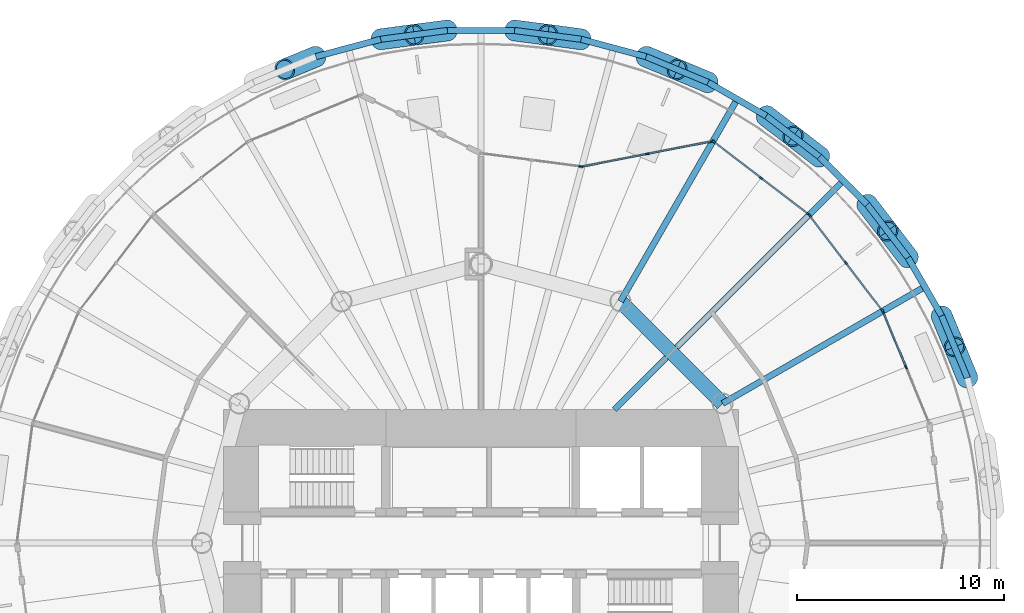
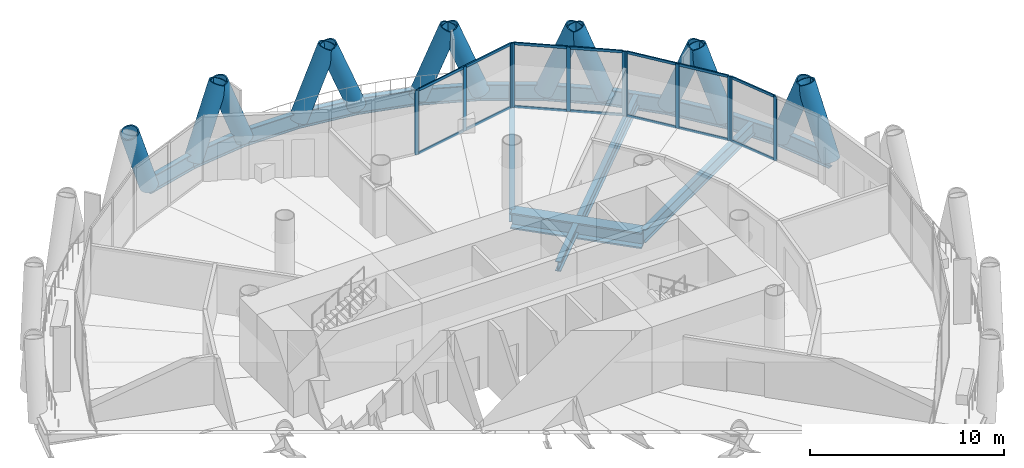
# One storey, part 7 of 15: 38 members, 17 beams, 5 elements without a shape of their own.
"""IFC4 building model written with IfcOpenShell, lengths in metres."""

import ifcopenshell
import ifcopenshell.guid

model = None  # the IFC model being written
_history = None  # IfcOwnerHistory: only IFC2X3 demands one
_inside = {}  # id of a spatial element -> (the spatial element, [elements in it])
_under = {}  # id of a project, library or spatial element -> (it, [spatial elements below it])
_declared = {}  # id of a project -> (the project, [libraries it declares])
_typed = {}  # id of a type object -> (the type object, [elements of that type])
_made_of = {}  # id of a material, layer set ... -> (it, [elements and type objects made of it])


def new_model(schema):
    """Start an empty IFC model of exactly this schema.

    Asked for "IFC4X3", IfcOpenShell would pick the latest addendum, in which some entities
    have other attributes; the version numbers below select the first issue.
    IFC2X3 requires an IfcOwnerHistory on every rooted entity: one is made here for all.
    """
    global model, _history
    if schema == "IFC4X3":
        model = ifcopenshell.file(schema_version=(4, 3, 0, 0))
    else:
        model = ifcopenshell.file(schema=schema)
    _inside.clear()
    _under.clear()
    _declared.clear()
    _typed.clear()
    _made_of.clear()
    _history = None
    if model.schema == "IFC2X3":
        org = make("IfcOrganization", Name="unknown")
        user = make(
            "IfcPersonAndOrganization",
            ThePerson=make("IfcPerson", FamilyName="unknown"),
            TheOrganization=org,
        )
        app = make(
            "IfcApplication",
            ApplicationDeveloper=org,
            Version="unknown",
            ApplicationFullName="unknown",
            ApplicationIdentifier="unknown",
        )
        _history = make(
            "IfcOwnerHistory",
            OwningUser=user,
            OwningApplication=app,
            ChangeAction="ADDED",
            CreationDate=0,
        )
    return model


def make(cls, **values):
    """One entity of the class cls with the attributes given. An attribute that is None is left unset."""
    return model.create_entity(
        cls, **{name: value for name, value in values.items() if value is not None}
    )


def rooted(cls, **values):
    """An entity with a GlobalId (a new one), such as an element, a storey or a relation."""
    return make(cls, GlobalId=ifcopenshell.guid.new(), OwnerHistory=_history, **values)


def si_unit(unit_type, name, prefix=None):
    """IfcSIUnit, for example si_unit("LENGTHUNIT", "METRE", prefix="MILLI")."""
    return make("IfcSIUnit", UnitType=unit_type, Prefix=prefix, Name=name)


def assignment(units):
    """IfcUnitAssignment: the units of a project."""
    return None if units is None else make("IfcUnitAssignment", Units=units)


def point(xyz):
    """IfcCartesianPoint."""
    return None if xyz is None else make("IfcCartesianPoint", Coordinates=xyz)


def direction(xyz):
    """IfcDirection."""
    return None if xyz is None else make("IfcDirection", DirectionRatios=xyz)


def frame(location, z_axis=None, x_axis=None):
    """IfcAxis2Placement3D, a coordinate frame: its origin and axes. An axis left out is left unset."""
    return make(
        "IfcAxis2Placement3D",
        Location=point(location),
        Axis=direction(z_axis),
        RefDirection=direction(x_axis),
    )


def frame_2d(location, x_axis=None):
    """IfcAxis2Placement2D, a coordinate frame in the plane: its origin and x axis."""
    return make(
        "IfcAxis2Placement2D", Location=point(location), RefDirection=direction(x_axis)
    )


def origin():
    """The frame at (0, 0, 0) with its axes left unset."""
    return frame((0.0, 0.0, 0.0))


def origin_2d():
    """The frame at (0, 0) in the plane with its x axis left unset."""
    return frame_2d((0.0, 0.0))


def place(relative_to, where):
    """IfcLocalPlacement: puts the frame where relative to a parent placement (None: the world)."""
    return make(
        "IfcLocalPlacement", PlacementRelTo=relative_to, RelativePlacement=where
    )


def context(
    kind, dimensions, precision=None, world=None, true_north=None, identifier=None
):
    """IfcGeometricRepresentationContext, for example the 3D "Model" context."""
    return make(
        "IfcGeometricRepresentationContext",
        ContextIdentifier=identifier,
        ContextType=kind,
        CoordinateSpaceDimension=dimensions,
        Precision=precision,
        WorldCoordinateSystem=world,
        TrueNorth=true_north,
    )


def subcontext(parent, identifier, kind, view, scale=None):
    """IfcGeometricRepresentationSubContext, for example "Body" below "Model"."""
    return make(
        "IfcGeometricRepresentationSubContext",
        ContextIdentifier=identifier,
        ContextType=kind,
        ParentContext=parent,
        TargetScale=scale,
        TargetView=view,
    )


def project(units=None, contexts=None):
    """IfcProject with its units and contexts."""
    return rooted(
        "IfcProject",
        Name="project",
        RepresentationContexts=contexts,
        UnitsInContext=assignment(units),
    )


def spatial(cls, under=None, at=None, **own):
    """A site, building, storey or space (cls), placed at a placement, below another one or the project."""
    s = rooted(cls, ObjectPlacement=at, **own)
    if under is not None:
        _under.setdefault(under.id(), (under, []))[1].append(s)
    return s


def profile(cls, at=None, kind="AREA", **sizes):
    """A parametric profile (cls). Its sizes go by their IFC names, for example OverallWidth=200.0."""
    return make(cls, ProfileType=kind, Position=at, **sizes)


def rectangle(**sizes):
    """IfcRectangleProfileDef."""
    return profile("IfcRectangleProfileDef", **sizes)


def hollow_circle(**sizes):
    """IfcCircleHollowProfileDef."""
    return profile("IfcCircleHollowProfileDef", **sizes)


def i_section(**sizes):
    """IfcIShapeProfileDef."""
    return profile("IfcIShapeProfileDef", **sizes)


def extrude(swept, where, along, depth):
    """IfcExtrudedAreaSolid: the profile swept, set in the frame where, extruded along a direction by depth."""
    return make(
        "IfcExtrudedAreaSolid",
        SweptArea=swept,
        Position=where,
        ExtrudedDirection=direction(along),
        Depth=depth,
    )


def shape(context_of_items, identifier, shape_type, items):
    """IfcShapeRepresentation: the items that make up one representation, for example the "Body"."""
    return make(
        "IfcShapeRepresentation",
        ContextOfItems=context_of_items,
        RepresentationIdentifier=identifier,
        RepresentationType=shape_type,
        Items=items,
    )


def material(Name=None, Category=None):
    """IfcMaterial."""
    return make("IfcMaterial", Name=Name, Category=Category)


def material_profile(
    of_material, cross_section, Name=None, Category=None, Priority=None
):
    """IfcMaterialProfile: a cross section and its material."""
    return make(
        "IfcMaterialProfile",
        Name=Name,
        Material=of_material,
        Profile=cross_section,
        Priority=Priority,
        Category=Category,
    )


def profile_set(profiles, Name=None, composite=None):
    """IfcMaterialProfileSet."""
    return make(
        "IfcMaterialProfileSet",
        Name=Name,
        MaterialProfiles=profiles,
        CompositeProfile=composite,
    )


def made_of(thing, what):
    """Note that an element or type object is made of a material, layer set ...; save() writes the relation."""
    if what is not None:
        _made_of.setdefault(what.id(), (what, []))[1].append(thing)
    return thing


def type_object(cls, material=None, **own):
    """A type object (cls), such as IfcWallType, which elements share."""
    return made_of(rooted(cls, **own), material)


def element(
    cls,
    number,
    at=None,
    inside=None,
    cuts=None,
    type_object=None,
    material=None,
    context=None,
    identifier="Body",
    shape_type=None,
    held_by="IfcProductDefinitionShape",
    body=None,
    shapes=None,
    **own,
):
    """One element of the class cls, such as IfcWall. Its Tag is "e" and its number.

    at: its placement. inside: the storey or other place that contains it. cuts: it is an
    opening in that element (IfcRelVoidsElement). A single representation is given by context,
    identifier, shape_type and body (its items); several are given by shapes. held_by: the class
    of the entity that holds the representations. save() writes the other relations.
    """
    e = rooted(cls, Tag="e%d" % number, ObjectPlacement=at, **own)
    if body is not None:
        shapes = [shape(context, identifier, shape_type, body)]
    if shapes is not None:
        e.Representation = make(held_by, Representations=shapes)
    if inside is not None:
        _inside.setdefault(inside.id(), (inside, []))[1].append(e)
    if cuts is not None:
        rooted(
            "IfcRelVoidsElement", RelatingBuildingElement=cuts, RelatedOpeningElement=e
        )
    if type_object is not None:
        _typed.setdefault(type_object.id(), (type_object, []))[1].append(e)
    return made_of(e, material)


def aggregate(whole, parts):
    """IfcRelAggregates: a whole, such as a stair, and the parts it consists of."""
    return rooted("IfcRelAggregates", RelatingObject=whole, RelatedObjects=parts)


def save(model, path):
    """Write the relations noted so far, then the file.

    IfcRelAggregates (storeys below a building ...), IfcRelContainedInSpatialStructure (elements
    in a storey), IfcRelDefinesByType, IfcRelAssociatesMaterial and IfcRelDeclares: one each for
    every whole, place, type object, material and project.
    """
    for whole, parts in _under.values():
        aggregate(whole, parts)
    for where, things in _inside.values():
        rooted(
            "IfcRelContainedInSpatialStructure",
            RelatedElements=things,
            RelatingStructure=where,
        )
    for kind, things in _typed.values():
        rooted("IfcRelDefinesByType", RelatedObjects=things, RelatingType=kind)
    for what, things in _made_of.values():
        rooted("IfcRelAssociatesMaterial", RelatedObjects=things, RelatingMaterial=what)
    for by, libraries in _declared.values():
        rooted("IfcRelDeclares", RelatingContext=by, RelatedDefinitions=libraries)
    model.write(path)


model = new_model("IFC4")

# Units and contexts
model_context = context("Model", 3, precision=1e-05, world=origin(), true_north=direction((0.0, 1.0)))
body_context = subcontext(model_context, "Body", "Model", "MODEL_VIEW")
ifc_project = project(units=[si_unit("LENGTHUNIT", "METRE"), si_unit("AREAUNIT", "SQUARE_METRE"), si_unit("VOLUMEUNIT", "CUBIC_METRE"), si_unit("PLANEANGLEUNIT", "RADIAN"), si_unit("MASSUNIT", "GRAM", prefix="KILO")], contexts=[model_context])

# Site, building, storey
site_placement = place(None, origin())
site = spatial("IfcSite", under=ifc_project, at=site_placement, CompositionType="ELEMENT")
building_placement = place(site_placement, origin())
building = spatial("IfcBuilding", under=site, at=building_placement, Name="Qaws Media Tower", CompositionType="ELEMENT")
storey_placement = place(building_placement, frame((0.0, 0.0, 147.800048828125)))
storey = spatial("IfcBuildingStorey", under=building, at=storey_placement, Name="L33", CompositionType="ELEMENT", Elevation=147.800048828125)

# Curtain wall, members
ifc_material_1 = material(Name="Aluminium and clear glass", Category="aluminium")
curtain_wall_type_1 = type_object("IfcCurtainWallType", Name="Unitised curtain wall CW-B", PredefinedType="NOTDEFINED", material=ifc_material_1)
curtain_wall_1_placement = place(storey_placement, origin())
curtain_wall_1 = element("IfcCurtainWall", 1, at=curtain_wall_1_placement, inside=storey, type_object=curtain_wall_type_1, Name="CWB curtain wall L33-02", PredefinedType="NOTDEFINED")
ifc_material_2 = material(Name="Aluminium mullion", Category="aluminium")
ifc_material_profile_1 = material_profile(ifc_material_2, rectangle(XDim=0.080078125, YDim=0.199951171875, at=origin_2d()), Name="80x200")
ifc_profile_set_1 = profile_set([ifc_material_profile_1], Name="Aluminium mullion")
member_type_1 = type_object("IfcMemberType", Name="Curtain wall mullion 80x200", PredefinedType="MULLION", material=ifc_profile_set_1)
member_1_placement = place(storey_placement, frame((80.563720703125, 58.517822265625, 0.0), z_axis=(0.0, 0.0, 1.0), x_axis=(-0.923879490527, -0.382683533725, 0.0)))
member_1 = element("IfcMember", 2, at=member_1_placement, type_object=member_type_1, Name="CWB mullion 2", PredefinedType="MULLION", context=body_context, shape_type="SweptSolid", body=[
    extrude(rectangle(XDim=0.080078125, YDim=0.199951171875, at=origin_2d()), origin(), (0.0, 0.0, 1.0), 4.0400390625),
])
member_2_placement = place(storey_placement, frame((79.45751953125, 61.18798828125, 0.0), z_axis=(0.0, 0.0, 1.0), x_axis=(-0.923879490527, -0.382683533725, 0.0)))
member_2 = element("IfcMember", 3, at=member_2_placement, type_object=member_type_1, Name="CWB mullion 3", PredefinedType="MULLION", context=body_context, shape_type="SweptSolid", body=[
    extrude(rectangle(XDim=0.080078125, YDim=0.199951171875, at=origin_2d()), origin(), (0.0, 0.0, 1.0), 4.0400390625),
])

curtain_wall_2_placement = place(storey_placement, origin())
curtain_wall_2 = element("IfcCurtainWall", 4, at=curtain_wall_2_placement, inside=storey, type_object=curtain_wall_type_1, Name="CWB curtain wall L33-03", PredefinedType="NOTDEFINED")
member_3_placement = place(storey_placement, frame((79.41796875, 61.2568359375, 0.0), z_axis=(0.0, 0.0, 1.0), x_axis=(-0.793353331632, -0.608761440294, 0.0)))
member_3 = element("IfcMember", 5, at=member_3_placement, type_object=member_type_1, Name="CWB mullion 1", PredefinedType="MULLION", context=body_context, shape_type="SweptSolid", body=[
    extrude(rectangle(XDim=0.080078125, YDim=0.199951171875, at=origin_2d()), origin(), (0.0, 0.0, 1.0), 4.0400390625),
])
member_4_placement = place(storey_placement, frame((77.658447265625, 63.5498046875, 0.0), z_axis=(0.0, 0.0, 1.0), x_axis=(-0.793353331632, -0.608761440294, 0.0)))
member_4 = element("IfcMember", 6, at=member_4_placement, type_object=member_type_1, Name="CWB mullion 2", PredefinedType="MULLION", context=body_context, shape_type="SweptSolid", body=[
    extrude(rectangle(XDim=0.080078125, YDim=0.199951171875, at=origin_2d()), origin(), (0.0, 0.0, 1.0), 4.0400390625),
])
member_5_placement = place(storey_placement, frame((75.89892578125, 65.8427734375, 0.0), z_axis=(0.0, 0.0, 1.0), x_axis=(-0.793353331632, -0.608761440294, 0.0)))
member_5 = element("IfcMember", 7, at=member_5_placement, type_object=member_type_1, Name="CWB mullion 3", PredefinedType="MULLION", context=body_context, shape_type="SweptSolid", body=[
    extrude(rectangle(XDim=0.080078125, YDim=0.199951171875, at=origin_2d()), origin(), (0.0, 0.0, 1.0), 4.0400390625),
])

curtain_wall_3_placement = place(storey_placement, origin())
curtain_wall_3 = element("IfcCurtainWall", 8, at=curtain_wall_3_placement, inside=storey, type_object=curtain_wall_type_1, Name="CWB curtain wall L33-04", PredefinedType="NOTDEFINED")
member_6_placement = place(storey_placement, frame((75.8427734375, 65.89892578125, 0.0), z_axis=(0.0, 0.0, 1.0), x_axis=(-0.608761440294, -0.793353331632, 0.0)))
member_6 = element("IfcMember", 9, at=member_6_placement, type_object=member_type_1, Name="CWB mullion 1", PredefinedType="MULLION", context=body_context, shape_type="SweptSolid", body=[
    extrude(rectangle(XDim=0.080078125, YDim=0.199951171875, at=origin_2d()), origin(), (0.0, 0.0, 1.0), 4.0400390625),
])
member_7_placement = place(storey_placement, frame((73.5498046875, 67.658447265625, 0.0), z_axis=(0.0, 0.0, 1.0), x_axis=(-0.608761440294, -0.793353331632, 0.0)))
member_7 = element("IfcMember", 10, at=member_7_placement, type_object=member_type_1, Name="CWB mullion 2", PredefinedType="MULLION", context=body_context, shape_type="SweptSolid", body=[
    extrude(rectangle(XDim=0.080078125, YDim=0.199951171875, at=origin_2d()), origin(), (0.0, 0.0, 1.0), 4.0400390625),
])
member_8_placement = place(storey_placement, frame((71.2568359375, 69.41796875, 0.0), z_axis=(0.0, 0.0, 1.0), x_axis=(-0.608761440294, -0.793353331632, 0.0)))
member_8 = element("IfcMember", 11, at=member_8_placement, type_object=member_type_1, Name="CWB mullion 3", PredefinedType="MULLION", context=body_context, shape_type="SweptSolid", body=[
    extrude(rectangle(XDim=0.080078125, YDim=0.199951171875, at=origin_2d()), origin(), (0.0, 0.0, 1.0), 4.0400390625),
])

ifc_material_3 = material(Name="Aluminium and clear glass", Category="aluminium")
curtain_wall_type_2 = type_object("IfcCurtainWallType", Name="Loggia curtain wall CW-G", PredefinedType="NOTDEFINED", material=ifc_material_3)
curtain_wall_4_placement = place(storey_placement, origin())
curtain_wall_4 = element("IfcCurtainWall", 12, at=curtain_wall_4_placement, inside=storey, type_object=curtain_wall_type_2, Name="CWG curtain wall L33-05", PredefinedType="NOTDEFINED")
member_9_placement = place(storey_placement, frame((71.185791015625, 69.4345703125, 0.0), z_axis=(0.0, 0.0, 1.0), x_axis=(0.190955028534, -0.981598786204, 0.0)))
member_9 = element("IfcMember", 13, at=member_9_placement, type_object=member_type_1, Name="CWG mullion 1", PredefinedType="MULLION", context=body_context, shape_type="SweptSolid", body=[
    extrude(rectangle(XDim=0.080078125, YDim=0.199951171875, at=origin_2d()), origin(), (0.0, 0.0, 1.0), 4.0400390625),
])
member_10_placement = place(storey_placement, frame((68.0517578125, 68.824951171875, 0.0), z_axis=(0.0, 0.0, 1.0), x_axis=(0.190955028534, -0.981598786204, 0.0)))
member_10 = element("IfcMember", 14, at=member_10_placement, type_object=member_type_1, Name="CWG mullion 2", PredefinedType="MULLION", context=body_context, shape_type="SweptSolid", body=[
    extrude(rectangle(XDim=0.080078125, YDim=0.199951171875, at=origin_2d()), origin(), (0.0, 0.0, 1.0), 4.0400390625),
])

# Curtain wall, member
curtain_wall_5_placement = place(storey_placement, origin())
curtain_wall_5 = element("IfcCurtainWall", 15, at=curtain_wall_5_placement, inside=storey, type_object=curtain_wall_type_2, Name="CWG curtain wall L33-06", PredefinedType="NOTDEFINED")
member_11_placement = place(storey_placement, frame((64.839111328125, 68.212890625, 0.0), z_axis=(0.0, 0.0, 1.0), x_axis=(-0.13052615737, -0.991444865962, 0.0)))
member_11 = element("IfcMember", 16, at=member_11_placement, type_object=member_type_1, Name="CWG mullion 1", PredefinedType="MULLION", context=body_context, shape_type="SweptSolid", body=[
    extrude(rectangle(XDim=0.080078125, YDim=0.199951171875, at=origin_2d()), origin(), (0.0, 0.0, 1.0), 4.0400390625),
])
aggregate(curtain_wall_5, [member_11])

# Member
ifc_material_4 = material(Name="Aluminium transom", Category="aluminium")
ifc_material_profile_2 = material_profile(ifc_material_4, rectangle(XDim=0.080078125, YDim=0.159912109375, at=origin_2d()), Name="80x160")
ifc_profile_set_2 = profile_set([ifc_material_profile_2], Name="Aluminium transom")
member_type_2 = type_object("IfcMemberType", Name="Curtain wall transom 80x160", PredefinedType="USERDEFINED", material=ifc_profile_set_2)
member_12_placement = place(storey_placement, frame((80.54833984375, 58.5546875, 0.0400390625), z_axis=(-0.382671476703, 0.923884484618, 0.0), x_axis=(-0.923884484618, -0.382671476703, 0.0)))
member_12 = element("IfcMember", 17, at=member_12_placement, type_object=member_type_2, Name="CWB transom 2.1", ObjectType="TRANSOM", PredefinedType="USERDEFINED", context=body_context, shape_type="SweptSolid", body=[
    extrude(rectangle(XDim=0.080078125, YDim=0.159912109375, at=origin_2d()), origin(), (0.0, 0.0, 1.0), 2.810302734375),
])

member_13_placement = place(storey_placement, frame((80.54833984375, 58.5546875, 4.0), z_axis=(-0.382671476703, 0.923884484618, 0.0), x_axis=(-0.923884484618, -0.382671476703, 0.0)))
member_13 = element("IfcMember", 18, at=member_13_placement, type_object=member_type_2, Name="CWB transom 2.2", ObjectType="TRANSOM", PredefinedType="USERDEFINED", context=body_context, shape_type="SweptSolid", body=[
    extrude(rectangle(XDim=0.080078125, YDim=0.159912109375, at=origin_2d()), origin(), (0.0, 0.0, 1.0), 2.810302734375),
])

aggregate(curtain_wall_1, [member_1, member_2, member_12, member_13])

member_14_placement = place(storey_placement, frame((79.3935546875, 61.28857421875, 0.0400390625), z_axis=(-0.608748849253, 0.793362992919, 0.0), x_axis=(-0.793362992919, -0.608748849253, 0.0)))
member_14 = element("IfcMember", 19, at=member_14_placement, type_object=member_type_2, Name="CWB transom 1.1", ObjectType="TRANSOM", PredefinedType="USERDEFINED", context=body_context, shape_type="SweptSolid", body=[
    extrude(rectangle(XDim=0.080078125, YDim=0.159912109375, at=origin_2d()), origin(), (0.0, 0.0, 1.0), 2.81005859375),
])

member_15_placement = place(storey_placement, frame((79.3935546875, 61.28857421875, 4.0), z_axis=(-0.608748849253, 0.793362992919, 0.0), x_axis=(-0.793362992919, -0.608748849253, 0.0)))
member_15 = element("IfcMember", 20, at=member_15_placement, type_object=member_type_2, Name="CWB transom 1.2", ObjectType="TRANSOM", PredefinedType="USERDEFINED", context=body_context, shape_type="SweptSolid", body=[
    extrude(rectangle(XDim=0.080078125, YDim=0.159912109375, at=origin_2d()), origin(), (0.0, 0.0, 1.0), 2.81005859375),
])

member_16_placement = place(storey_placement, frame((77.634033203125, 63.58154296875, 0.0400390625), z_axis=(-0.608748849253, 0.793362992919, 0.0), x_axis=(-0.793362992919, -0.608748849253, 0.0)))
member_16 = element("IfcMember", 21, at=member_16_placement, type_object=member_type_2, Name="CWB transom 2.1", ObjectType="TRANSOM", PredefinedType="USERDEFINED", context=body_context, shape_type="SweptSolid", body=[
    extrude(rectangle(XDim=0.080078125, YDim=0.159912109375, at=origin_2d()), origin(), (0.0, 0.0, 1.0), 2.81005859375),
])

member_17_placement = place(storey_placement, frame((77.634033203125, 63.58154296875, 4.0), z_axis=(-0.608748849253, 0.793362992919, 0.0), x_axis=(-0.793362992919, -0.608748849253, 0.0)))
member_17 = element("IfcMember", 22, at=member_17_placement, type_object=member_type_2, Name="CWB transom 2.2", ObjectType="TRANSOM", PredefinedType="USERDEFINED", context=body_context, shape_type="SweptSolid", body=[
    extrude(rectangle(XDim=0.080078125, YDim=0.159912109375, at=origin_2d()), origin(), (0.0, 0.0, 1.0), 2.81005859375),
])

aggregate(curtain_wall_2, [member_3, member_4, member_5, member_14, member_15, member_16, member_17])

member_18_placement = place(storey_placement, frame((75.81103515625, 65.92333984375, 0.0400390625), z_axis=(-0.793362992919, 0.608748849253, 0.0), x_axis=(-0.608748849253, -0.793362992919, 0.0)))
member_18 = element("IfcMember", 23, at=member_18_placement, type_object=member_type_2, Name="CWB transom 1.1", ObjectType="TRANSOM", PredefinedType="USERDEFINED", context=body_context, shape_type="SweptSolid", body=[
    extrude(rectangle(XDim=0.080078125, YDim=0.159912109375, at=origin_2d()), origin(), (0.0, 0.0, 1.0), 2.81005859375),
])

member_19_placement = place(storey_placement, frame((75.81103515625, 65.92333984375, 4.0), z_axis=(-0.793362992919, 0.608748849253, 0.0), x_axis=(-0.608748849253, -0.793362992919, 0.0)))
member_19 = element("IfcMember", 24, at=member_19_placement, type_object=member_type_2, Name="CWB transom 1.2", ObjectType="TRANSOM", PredefinedType="USERDEFINED", context=body_context, shape_type="SweptSolid", body=[
    extrude(rectangle(XDim=0.080078125, YDim=0.159912109375, at=origin_2d()), origin(), (0.0, 0.0, 1.0), 2.81005859375),
])

member_20_placement = place(storey_placement, frame((73.51806640625, 67.682861328125, 0.0400390625), z_axis=(-0.793362992919, 0.608748849253, 0.0), x_axis=(-0.608748849253, -0.793362992919, 0.0)))
member_20 = element("IfcMember", 25, at=member_20_placement, type_object=member_type_2, Name="CWB transom 2.1", ObjectType="TRANSOM", PredefinedType="USERDEFINED", context=body_context, shape_type="SweptSolid", body=[
    extrude(rectangle(XDim=0.080078125, YDim=0.159912109375, at=origin_2d()), origin(), (0.0, 0.0, 1.0), 2.81005859375),
])

member_21_placement = place(storey_placement, frame((73.51806640625, 67.682861328125, 4.0), z_axis=(-0.793362992919, 0.608748849253, 0.0), x_axis=(-0.608748849253, -0.793362992919, 0.0)))
member_21 = element("IfcMember", 26, at=member_21_placement, type_object=member_type_2, Name="CWB transom 2.2", ObjectType="TRANSOM", PredefinedType="USERDEFINED", context=body_context, shape_type="SweptSolid", body=[
    extrude(rectangle(XDim=0.080078125, YDim=0.159912109375, at=origin_2d()), origin(), (0.0, 0.0, 1.0), 2.81005859375),
])

aggregate(curtain_wall_3, [member_6, member_7, member_8, member_18, member_19, member_20, member_21])

member_22_placement = place(storey_placement, frame((71.146484375, 69.427001953125, 0.0400390625), z_axis=(-0.981592931706, -0.190985120951, 0.0), x_axis=(0.190985120951, -0.981592931706, 0.0)))
member_22 = element("IfcMember", 27, at=member_22_placement, type_object=member_type_2, Name="CWG transom 1.1", ObjectType="TRANSOM", PredefinedType="USERDEFINED", context=body_context, shape_type="SweptSolid", body=[
    extrude(rectangle(XDim=0.080078125, YDim=0.159912109375, at=origin_2d()), origin(), (0.0, 0.0, 1.0), 3.11279296875),
])

member_23_placement = place(storey_placement, frame((71.146484375, 69.427001953125, 4.0), z_axis=(-0.981592931706, -0.190985120951, 0.0), x_axis=(0.190985120951, -0.981592931706, 0.0)))
member_23 = element("IfcMember", 28, at=member_23_placement, type_object=member_type_2, Name="CWG transom 1.2", ObjectType="TRANSOM", PredefinedType="USERDEFINED", context=body_context, shape_type="SweptSolid", body=[
    extrude(rectangle(XDim=0.080078125, YDim=0.159912109375, at=origin_2d()), origin(), (0.0, 0.0, 1.0), 3.11279296875),
])

member_24_placement = place(storey_placement, frame((68.0126953125, 68.8173828125, 0.0400390625), z_axis=(-0.981592931706, -0.190985120951, 0.0), x_axis=(0.190985120951, -0.981592931706, 0.0)))
member_24 = element("IfcMember", 29, at=member_24_placement, type_object=member_type_2, Name="CWG transom 2.1", ObjectType="TRANSOM", PredefinedType="USERDEFINED", context=body_context, shape_type="SweptSolid", body=[
    extrude(rectangle(XDim=0.080078125, YDim=0.159912109375, at=origin_2d()), origin(), (0.0, 0.0, 1.0), 3.11279296875),
])

member_25_placement = place(storey_placement, frame((68.0126953125, 68.8173828125, 4.0), z_axis=(-0.981592931706, -0.190985120951, 0.0), x_axis=(0.190985120951, -0.981592931706, 0.0)))
member_25 = element("IfcMember", 30, at=member_25_placement, type_object=member_type_2, Name="CWG transom 2.2", ObjectType="TRANSOM", PredefinedType="USERDEFINED", context=body_context, shape_type="SweptSolid", body=[
    extrude(rectangle(XDim=0.080078125, YDim=0.159912109375, at=origin_2d()), origin(), (0.0, 0.0, 1.0), 3.11279296875),
])

aggregate(curtain_wall_4, [member_9, member_10, member_22, member_23, member_24, member_25])

# Members
ifc_material_5 = material(Name="Steel S460", Category="steel")
ifc_material_profile_3 = material_profile(ifc_material_5, hollow_circle(Radius=0.508056640625, WallThickness=0.070068359375, at=origin_2d()), Name="CHS 1016x70")
ifc_profile_set_3 = profile_set([ifc_material_profile_3], Name="Steel S460")
member_type_3 = type_object("IfcMemberType", Name="Diagrid member CHS 1016x70", PredefinedType="USERDEFINED", material=ifc_profile_set_3)
for number, where, z_axis, x_axis, name in (
    (31, (83.53125, 57.98779296875, -0.6640625), (-0.137481650879, 0.33367490582, 0.932609164065), (-0.924594078126, -0.38095379076, 0.0), "DG3 diagrid L33 A02"),
    (32, (80.662109375, 63.805908203125, -0.6640625), (-0.219177842018, 0.286725601393, 0.932603615195), (-0.794468674532, -0.60730513351, 0.0), "DG3 diagrid L33 A03"),
    (33, (82.287353515625, 60.990966796875, -0.6640625), (0.138727206888, -0.333183827093, 0.932600289209), (0.923174661382, 0.384380728682, 0.0), "DG3 diagrid L33 B03"),
    (34, (76.384765625, 68.68310546875, -0.6640625), (-0.285910882136, 0.220260886257, 0.932598578951), (-0.61028406159, -0.792182658337, 0.0), "DG3 diagrid L33 A04"),
    (35, (78.68310546875, 66.384765625, -0.6640625), (0.220260886257, -0.285910882136, 0.932598578951), (0.792182658337, 0.61028406159, 0.0), "DG3 diagrid L33 B04"),
    (36, (70.990966796875, 72.287353515625, -0.6640625), (-0.333183827093, 0.138727206888, 0.932600289209), (-0.384380728682, -0.923174661382, 0.0), "DG3 diagrid L33 A05"),
    (37, (73.805908203125, 70.662109375, -0.6640625), (0.286725601393, -0.219177842018, 0.932603615195), (0.60730513351, 0.794468674532, 0.0), "DG3 diagrid L33 B05"),
    (38, (64.847900390625, 74.37255859375, -0.6640625), (-0.357692818797, 0.047815257075, 0.932614362195), (-0.132498274346, -0.991183235984, 0.0), "DG3 diagrid L33 A06"),
    (39, (67.98779296875, 73.53125, -0.6640625), (0.33367490582, -0.137481650879, 0.932609164065), (0.38095379076, 0.924594078126, 0.0), "DG3 diagrid L33 B06"),
    (40, (58.374755859375, 74.796875, -0.6640625), (-0.357905664619, -0.046405217951, 0.932603930391), (0.128581385903, -0.991698959967, 0.0), "DG3 diagrid L33 A07"),
    (41, (61.625244140625, 74.796875, -0.6640625), (0.357905664619, -0.046405217951, 0.932603930391), (0.128581385903, 0.991698959967, 0.0), "DG3 diagrid L33 B07"),
    (42, (52.01220703125, 73.53125, -0.6640625), (-0.33367490582, -0.137481650879, 0.932609164065), (0.38095379076, -0.924594078126, 0.0), "DG3 diagrid L33 A08"),
    (43, (55.152099609375, 74.37255859375, -0.6640625), (0.357692818797, 0.047815257075, 0.932614362195), (-0.132498274346, 0.991183235984, 0.0), "DG3 diagrid L33 B08"),
):
    element("IfcMember", number, at=place(storey_placement, frame(where, z_axis=z_axis, x_axis=x_axis)), inside=storey, type_object=member_type_3, Name=name, ObjectType="DIAGRID", PredefinedType="USERDEFINED", context=body_context, shape_type="SweptSolid", body=[
        extrude(hollow_circle(Radius=0.508056640625, WallThickness=0.070068359375, at=origin_2d()), origin(), (0.0, 0.0, 1.0), 4.50341796875),
    ])

# Beams
ifc_material_6 = material(Name="Steel S460", Category="steel")
ifc_material_profile_4 = material_profile(ifc_material_6, i_section(OverallWidth=0.302001953125, OverallDepth=1.008056640625, WebThickness=0.02099609375, FlangeThickness=0.0400390625, FilletRadius=0.030029296875, at=origin_2d()), Name="HE 1000 M")
ifc_profile_set_4 = profile_set([ifc_material_profile_4], Name="Steel S460")
beam_type_1 = type_object("IfcBeamType", Name="Edge ring beam HE 1000 M", PredefinedType="BEAM", material=ifc_profile_set_4)
for number, where, z_axis, x_axis, name in (
    (44, (83.53125, 57.98779296875, -0.6640625), (-0.38266798044, 0.923885932757, 0.0), (-0.923885932757, -0.38266798044, 0.0), "RB3 edge ring beam L33-03"),
    (45, (82.287353515625, 60.990966796875, -0.6640625), (-0.500008528526, 0.866020479782, 0.0), (-0.866020479782, -0.500008528526, 0.0), "RB3 edge ring beam L33-04"),
):
    element("IfcBeam", number, at=place(storey_placement, frame(where, z_axis=z_axis, x_axis=x_axis)), inside=storey, type_object=beam_type_1, Name=name, PredefinedType="BEAM", context=body_context, shape_type="SweptSolid", body=[
        extrude(i_section(OverallWidth=0.302001953125, OverallDepth=1.008056640625, WebThickness=0.02099609375, FlangeThickness=0.0400390625, FilletRadius=0.030029296875, at=origin_2d()), origin(), (0.0, 0.0, 1.0), 3.25048828125),
    ])
beam_1_placement = place(storey_placement, frame((80.662109375, 63.805908203125, -0.6640625), z_axis=(-0.60879570142, 0.793327040969, 0.0), x_axis=(-0.793327040969, -0.60879570142, 0.0)))
element("IfcBeam", 46, at=beam_1_placement, inside=storey, type_object=beam_type_1, Name="RB3 edge ring beam L33-05", PredefinedType="BEAM", context=body_context, shape_type="SweptSolid", body=[
    extrude(i_section(OverallWidth=0.302001953125, OverallDepth=1.008056640625, WebThickness=0.02099609375, FlangeThickness=0.0400390625, FilletRadius=0.030029296875, at=origin_2d()), origin(), (0.0, 0.0, 1.0), 3.250732421875),
])
beam_2_placement = place(storey_placement, frame((78.68310546875, 66.384765625, -0.6640625), z_axis=(-0.707106781187, 0.707106781187, 0.0), x_axis=(-0.707106781187, -0.707106781187, 0.0)))
element("IfcBeam", 47, at=beam_2_placement, inside=storey, type_object=beam_type_1, Name="RB3 edge ring beam L33-06", PredefinedType="BEAM", context=body_context, shape_type="SweptSolid", body=[
    extrude(i_section(OverallWidth=0.302001953125, OverallDepth=1.008056640625, WebThickness=0.02099609375, FlangeThickness=0.0400390625, FilletRadius=0.030029296875, at=origin_2d()), origin(), (0.0, 0.0, 1.0), 3.250244140625),
])
beam_3_placement = place(storey_placement, frame((76.384765625, 68.68310546875, -0.6640625), z_axis=(-0.793327040969, 0.60879570142, 0.0), x_axis=(-0.60879570142, -0.793327040969, 0.0)))
element("IfcBeam", 48, at=beam_3_placement, inside=storey, type_object=beam_type_1, Name="RB3 edge ring beam L33-07", PredefinedType="BEAM", context=body_context, shape_type="SweptSolid", body=[
    extrude(i_section(OverallWidth=0.302001953125, OverallDepth=1.008056640625, WebThickness=0.02099609375, FlangeThickness=0.0400390625, FilletRadius=0.030029296875, at=origin_2d()), origin(), (0.0, 0.0, 1.0), 3.250732421875),
])
for number, where, z_axis, x_axis, name in (
    (49, (73.805908203125, 70.662109375, -0.6640625), (-0.866020479782, 0.500008528526, 0.0), (-0.500008528526, -0.866020479782, 0.0), "RB3 edge ring beam L33-08"),
    (50, (70.990966796875, 72.287353515625, -0.6640625), (-0.923885932757, 0.38266798044, 0.0), (-0.38266798044, -0.923885932757, 0.0), "RB3 edge ring beam L33-09"),
):
    element("IfcBeam", number, at=place(storey_placement, frame(where, z_axis=z_axis, x_axis=x_axis)), inside=storey, type_object=beam_type_1, Name=name, PredefinedType="BEAM", context=body_context, shape_type="SweptSolid", body=[
        extrude(i_section(OverallWidth=0.302001953125, OverallDepth=1.008056640625, WebThickness=0.02099609375, FlangeThickness=0.0400390625, FilletRadius=0.030029296875, at=origin_2d()), origin(), (0.0, 0.0, 1.0), 3.25048828125),
    ])
beam_4_placement = place(storey_placement, frame((67.98779296875, 73.53125, -0.6640625), z_axis=(-0.965927601825, 0.258812418621, 0.0), x_axis=(-0.258812418621, -0.965927601825, 0.0)))
element("IfcBeam", 51, at=beam_4_placement, inside=storey, type_object=beam_type_1, Name="RB3 edge ring beam L33-10", PredefinedType="BEAM", context=body_context, shape_type="SweptSolid", body=[
    extrude(i_section(OverallWidth=0.302001953125, OverallDepth=1.008056640625, WebThickness=0.02099609375, FlangeThickness=0.0400390625, FilletRadius=0.030029296875, at=origin_2d()), origin(), (0.0, 0.0, 1.0), 3.250732421875),
])
for number, where, z_axis, x_axis, name in (
    (52, (64.847900390625, 74.37255859375, -0.6640625), (-0.991443043354, 0.130540000708, 0.0), (-0.130540000708, -0.991443043354, 0.0), "RB3 edge ring beam L33-11"),
    (53, (61.625244140625, 74.796875, -0.6640625), (-1.0, 0.0, 0.0), (0.0, -1.0, 0.0), "RB3 edge ring beam L33-12"),
    (54, (58.374755859375, 74.796875, -0.6640625), (-0.991443043354, -0.130540000708, 0.0), (0.130540000708, -0.991443043354, 0.0), "RB3 edge ring beam L33-13"),
):
    element("IfcBeam", number, at=place(storey_placement, frame(where, z_axis=z_axis, x_axis=x_axis)), inside=storey, type_object=beam_type_1, Name=name, PredefinedType="BEAM", context=body_context, shape_type="SweptSolid", body=[
        extrude(i_section(OverallWidth=0.302001953125, OverallDepth=1.008056640625, WebThickness=0.02099609375, FlangeThickness=0.0400390625, FilletRadius=0.030029296875, at=origin_2d()), origin(), (0.0, 0.0, 1.0), 3.25048828125),
    ])
beam_5_placement = place(storey_placement, frame((55.152099609375, 74.37255859375, -0.6640625), z_axis=(-0.965927601825, -0.258812418621, 0.0), x_axis=(0.258812418621, -0.965927601825, 0.0)))
element("IfcBeam", 55, at=beam_5_placement, inside=storey, type_object=beam_type_1, Name="RB3 edge ring beam L33-14", PredefinedType="BEAM", context=body_context, shape_type="SweptSolid", body=[
    extrude(i_section(OverallWidth=0.302001953125, OverallDepth=1.008056640625, WebThickness=0.02099609375, FlangeThickness=0.0400390625, FilletRadius=0.030029296875, at=origin_2d()), origin(), (0.0, 0.0, 1.0), 3.250732421875),
])
ifc_material_7 = material(Name="Steel S460", Category="steel")
ifc_material_profile_5 = material_profile(ifc_material_7, i_section(OverallWidth=0.699951171875, OverallDepth=1.0, WebThickness=0.034912109375, FlangeThickness=0.090087890625, at=origin_2d()), Name="PG 1000x700")
ifc_profile_set_5 = profile_set([ifc_material_profile_5], Name="Steel S460")
beam_type_2 = type_object("IfcBeamType", Name="Inner ring girder PG 1000x700", PredefinedType="BEAM", material=ifc_profile_set_5)
beam_6_placement = place(storey_placement, frame((71.69140625, 56.75, -0.66015625), z_axis=(-0.707106781187, 0.707106781187, 0.0), x_axis=(-0.707106781187, -0.707106781187, 0.0)))
element("IfcBeam", 56, at=beam_6_placement, inside=storey, type_object=beam_type_2, Name="B3 inner ring beam L33 I02-I03", PredefinedType="BEAM", context=body_context, shape_type="SweptSolid", body=[
    extrude(i_section(OverallWidth=0.699951171875, OverallDepth=1.0, WebThickness=0.034912109375, FlangeThickness=0.090087890625, at=origin_2d()), origin(), (0.0, 0.0, 1.0), 6.98828125),
])
ifc_material_8 = material(Name="Steel S355", Category="steel")
ifc_material_profile_6 = material_profile(ifc_material_8, i_section(OverallWidth=0.304931640625, OverallDepth=0.6201171875, WebThickness=0.02099609375, FlangeThickness=0.0400390625, FilletRadius=0.027099609375, at=origin_2d()), Name="HE 600 M")
ifc_profile_set_6 = profile_set([ifc_material_profile_6], Name="Steel S355")
beam_type_3 = type_object("IfcBeamType", Name="Radial beam HE 600 M, core side", PredefinedType="BEAM", material=ifc_profile_set_6)
beam_7_placement = place(storey_placement, frame((66.449951171875, 56.449951171875, -0.469970703125), z_axis=(0.707106781187, 0.707106781187, 0.0), x_axis=(-0.707106781187, 0.707106781187, 0.0)))
element("IfcBeam", 57, at=beam_7_placement, inside=storey, type_object=beam_type_3, Name="B2 radial beam L33 04", PredefinedType="BEAM", context=body_context, shape_type="SweptSolid", body=[
    extrude(i_section(OverallWidth=0.304931640625, OverallDepth=0.6201171875, WebThickness=0.02099609375, FlangeThickness=0.0400390625, FilletRadius=0.027099609375, at=origin_2d()), origin(), (0.0, 0.0, 1.0), 3.568359375),
])
ifc_material_9 = material(Name="Steel S355", Category="steel")
ifc_material_profile_7 = material_profile(ifc_material_9, i_section(OverallWidth=0.300048828125, OverallDepth=0.800048828125, WebThickness=0.017578125, FlangeThickness=0.032958984375, FilletRadius=0.030029296875, at=origin_2d()), Name="HE 800 B")
ifc_profile_set_7 = profile_set([ifc_material_profile_7], Name="Steel S355")
beam_type_4 = type_object("IfcBeamType", Name="Radial beam HE 800 B", PredefinedType="BEAM", material=ifc_profile_set_7)
beam_8_placement = place(storey_placement, frame((71.69140625, 56.75, -0.56005859375), z_axis=(0.866021473228, 0.500006807861, 0.0), x_axis=(-0.500006807861, 0.866021473228, 0.0)))
element("IfcBeam", 58, at=beam_8_placement, inside=storey, type_object=beam_type_4, Name="B1 radial beam L33 03", PredefinedType="BEAM", context=body_context, shape_type="SweptSolid", body=[
    extrude(i_section(OverallWidth=0.300048828125, OverallDepth=0.800048828125, WebThickness=0.017578125, FlangeThickness=0.032958984375, FilletRadius=0.030029296875, at=origin_2d()), origin(), (0.0, 0.0, 1.0), 11.296630859375),
])
beam_9_placement = place(storey_placement, frame((69.46826171875, 59.46826171875, -0.56005859375), z_axis=(0.707106781187, 0.707106781187, 0.0), x_axis=(-0.707106781187, 0.707106781187, 0.0)))
element("IfcBeam", 59, at=beam_9_placement, inside=storey, type_object=beam_type_4, Name="B1 radial beam L33 04", PredefinedType="BEAM", context=body_context, shape_type="SweptSolid", body=[
    extrude(i_section(OverallWidth=0.300048828125, OverallDepth=0.800048828125, WebThickness=0.017578125, FlangeThickness=0.032958984375, FilletRadius=0.030029296875, at=origin_2d()), origin(), (0.0, 0.0, 1.0), 11.406494140625),
])
beam_10_placement = place(storey_placement, frame((66.75, 61.69140625, -0.56005859375), z_axis=(0.500006807861, 0.866021473228, 0.0), x_axis=(-0.866021473228, 0.500006807861, 0.0)))
element("IfcBeam", 60, at=beam_10_placement, inside=storey, type_object=beam_type_4, Name="B1 radial beam L33 05", PredefinedType="BEAM", context=body_context, shape_type="SweptSolid", body=[
    extrude(i_section(OverallWidth=0.300048828125, OverallDepth=0.800048828125, WebThickness=0.017578125, FlangeThickness=0.032958984375, FilletRadius=0.030029296875, at=origin_2d()), origin(), (0.0, 0.0, 1.0), 11.296630859375),
])

save(model, "model.ifc")
